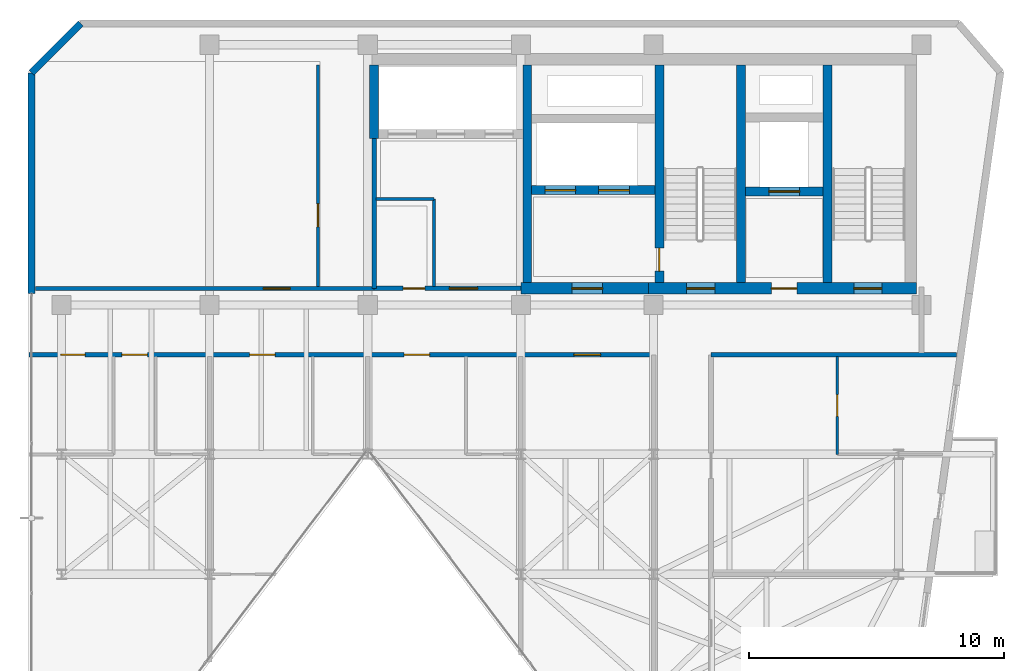
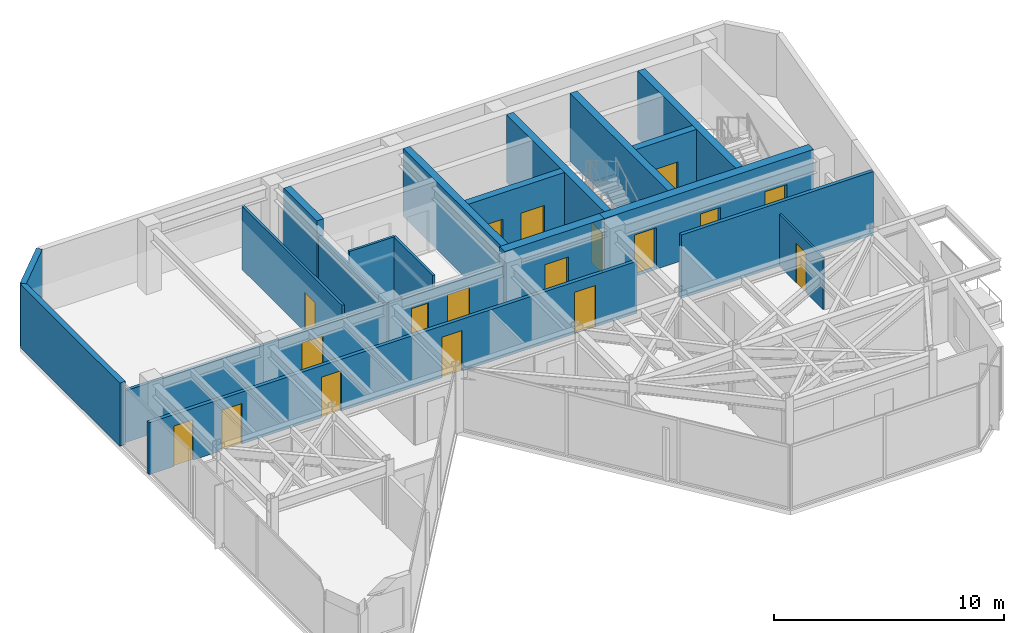
# One storey, part 14 of 17: 20 walls, 18 doors, 18 openings.
"""IFC4 building model written with IfcOpenShell, lengths in metres."""

from ifc_helpers import new_model, si_unit, direction, frame, frame_2d, origin, place, context, subcontext, project, spatial, rectangle, extrude, material, layer, layer_set, type_object, element, fill, save


model = new_model("IFC4")

# Units and contexts
model_context = context("Model", 3, precision=1e-05, world=origin(), true_north=direction((0.0, 1.0)))
body_context = subcontext(model_context, "Body", "Model", "MODEL_VIEW")
ifc_project = project(units=[si_unit("LENGTHUNIT", "METRE"), si_unit("AREAUNIT", "SQUARE_METRE"), si_unit("VOLUMEUNIT", "CUBIC_METRE"), si_unit("PLANEANGLEUNIT", "RADIAN"), si_unit("MASSUNIT", "GRAM", prefix="KILO")], contexts=[model_context])

# Site, building, storey
site_placement = place(None, origin())
site = spatial("IfcSite", under=ifc_project, at=site_placement, CompositionType="ELEMENT")
building_placement = place(site_placement, origin())
building = spatial("IfcBuilding", under=site, at=building_placement, Name="Kravanh Interchange Tower", CompositionType="ELEMENT")
storey_placement = place(building_placement, frame((0.0, 0.0, 282.300048828125)))
storey = spatial("IfcBuildingStorey", under=building, at=storey_placement, Name="L69", CompositionType="ELEMENT", Elevation=282.300048828125)

# Walls
ifc_material_1 = material(Name="Double Acoustic Gypsum Board and Mineral Wool")
ifc_layer_1 = layer(ifc_material_1, 0.1201171875)
ifc_layer_set_1 = layer_set([ifc_layer_1], Name="Acoustic Office Drywall Partition 120mm")
wall_type_1 = type_object("IfcWallType", Name="Acoustic Office Drywall Partition 120mm", PredefinedType="PARTITIONING", material=ifc_layer_set_1)
wall_1_placement = place(storey_placement, frame((47.39990234375, 38.068115234375, 0.0), z_axis=(0.0, 0.0, 1.0), x_axis=(0.0, 1.0, 0.0)))
element("IfcWall", 1, at=wall_1_placement, inside=storey, type_object=wall_type_1, Name="L69 Interior Partition 2", PredefinedType="PARTITIONING", context=body_context, shape_type="SweptSolid", body=[
    extrude(rectangle(XDim=3.431884765625, YDim=0.1201171875, at=frame_2d((1.7158203125, 0.0))), origin(), (0.0, 0.0, 1.0), 3.364990234375),
])
wall_2_placement = place(storey_placement, frame((45.117919921875, 41.5, 0.0), z_axis=(0.0, 0.0, 1.0), x_axis=(1.0, 0.0, 0.0)))
element("IfcWall", 2, at=wall_2_placement, inside=storey, type_object=wall_type_1, Name="L69 Interior Partition 3", PredefinedType="PARTITIONING", context=body_context, shape_type="SweptSolid", body=[
    extrude(rectangle(XDim=2.281982421875, YDim=0.1201171875, at=frame_2d((1.14111328125, 0.0))), origin(), (0.0, 0.0, 1.0), 3.364990234375),
])

# Wall, opening, door
wall_3_placement = place(storey_placement, frame((42.85009765625, 38.068115234375, 0.0), z_axis=(0.0, 0.0, 1.0), x_axis=(0.0, 1.0, 0.0)))
wall_3 = element("IfcWall", 3, at=wall_3_placement, inside=storey, type_object=wall_type_1, Name="L69 Interior Partition 7", PredefinedType="PARTITIONING", context=body_context, shape_type="SweptSolid", body=[
    extrude(rectangle(XDim=8.681884765625, YDim=0.1201171875, at=frame_2d((4.3408203125, 0.0))), origin(), (0.0, 0.0, 1.0), 3.364990234375),
])
opening_1_placement = place(wall_3_placement, frame((2.341796875, 0.0, 0.0)))
opening_1 = element("IfcOpeningElement", 4, at=opening_1_placement, cuts=wall_3, Name="Opening D-90", PredefinedType="OPENING", context=body_context, shape_type="SweptSolid", body=[
    extrude(rectangle(XDim=0.89990234375, YDim=2.10009765625, at=frame_2d((0.449951171875, 1.050048828125))), frame((0.0, 0.070068359375, 0.0), z_axis=(0.0, -1.0, 0.0), x_axis=(1.0, 0.0, 0.0)), (0.0, 0.0, 1.0), 0.14013671875),
])
ifc_material_2 = material(Name="Painted Solid-Core Timber", Category="wood")
door_type_1 = type_object("IfcDoorType", Name="Service Room Door 900x2100", OperationType="NOTDEFINED", PredefinedType="DOOR", material=ifc_material_2)
door_1_placement = place(opening_1_placement, origin())
door_1 = element("IfcDoor", 5, at=door_1_placement, inside=storey, type_object=door_type_1, Name="L69 Housekeeping Inner Door", OperationType="SINGLE_SWING_RIGHT", OverallHeight=2.10009765625, OverallWidth=0.89990234375, PredefinedType="DOOR", context=body_context, shape_type="SweptSolid", body=[
    extrude(rectangle(XDim=0.89990234375, YDim=2.10009765625, at=frame_2d((0.449951171875, 1.050048828125))), frame((0.0, 0.02490234375, 0.0), z_axis=(0.0, -1.0, 0.0), x_axis=(1.0, 0.0, 0.0)), (0.0, 0.0, 1.0), 0.050048828125),
])
fill(opening_1, door_1)

# Walls
ifc_material_3 = material(Name="Concrete C60/75", Category="concrete")
ifc_layer_2 = layer(ifc_material_3, 0.35009765625)
ifc_layer_set_2 = layer_set([ifc_layer_2], Name="Core Shear Wall Concrete C60/75 350mm")
wall_type_2 = type_object("IfcWallType", Name="Core Shear Wall Concrete C60/75 350mm", PredefinedType="SHEAR", material=ifc_layer_set_2)
for number, where, z_axis, x_axis, name in (
    (6, (62.824951171875, 38.22509765625, 0.0), (0.0, 0.0, 1.0), (0.0, 1.0, 0.0), "L69 Stair ST1 West Shear Wall"),
    (7, (59.425048828125, 38.22509765625, 0.0), (0.0, 0.0, 1.0), (0.0, 1.0, 0.0), "L69 Stair ST2 East Shear Wall"),
):
    element("IfcWall", number, at=place(storey_placement, frame(where, z_axis=z_axis, x_axis=x_axis)), inside=storey, type_object=wall_type_2, Name=name, PredefinedType="SHEAR", context=body_context, shape_type="SweptSolid", body=[
        extrude(rectangle(XDim=8.52490234375, YDim=0.35009765625, at=frame_2d((4.262451171875, 0.0))), origin(), (0.0, 0.0, 1.0), 3.599853515625),
    ])

# Wall, opening, door
wall_4_placement = place(storey_placement, frame((56.22509765625, 38.22509765625, 0.0), z_axis=(0.0, 0.0, 1.0), x_axis=(0.0, 1.0, 0.0)))
wall_4 = element("IfcWall", 8, at=wall_4_placement, inside=storey, type_object=wall_type_2, Name="L69 Stair ST2 West Shear Wall", PredefinedType="SHEAR", context=body_context, shape_type="SweptSolid", body=[
    extrude(rectangle(XDim=8.52490234375, YDim=0.35009765625, at=frame_2d((4.262451171875, 0.0))), origin(), (0.0, 0.0, 1.0), 3.599853515625),
])
opening_2_placement = place(wall_4_placement, frame((0.455078125, 0.0, 0.0)))
opening_2 = element("IfcOpeningElement", 9, at=opening_2_placement, cuts=wall_4, Name="Opening D-STAIR-90", PredefinedType="OPENING", context=body_context, shape_type="SweptSolid", body=[
    extrude(rectangle(XDim=0.89990234375, YDim=2.14990234375, at=frame_2d((0.449951171875, 1.074951171875))), frame((0.0, 0.18505859375, 0.0), z_axis=(0.0, -1.0, 0.0), x_axis=(1.0, 0.0, 0.0)), (0.0, 0.0, 1.0), 0.3701171875),
])
ifc_material_4 = material(Name="Structural Steel S355", Category="steel")
door_type_2 = type_object("IfcDoorType", Name="Fire-Rated Stair Lobby Door 900x2150", OperationType="NOTDEFINED", PredefinedType="DOOR", material=ifc_material_4)
door_2_placement = place(opening_2_placement, origin())
door_2 = element("IfcDoor", 10, at=door_2_placement, inside=storey, type_object=door_type_2, Name="L69 Firefighting Lobby to Stair ST2 Door", OperationType="SINGLE_SWING_LEFT", OverallHeight=2.14990234375, OverallWidth=0.89990234375, PredefinedType="DOOR", context=body_context, shape_type="SweptSolid", body=[
    extrude(rectangle(XDim=0.89990234375, YDim=2.14990234375, at=frame_2d((0.449951171875, 1.074951171875))), frame((0.0, 0.02490234375, 0.0), z_axis=(0.0, -1.0, 0.0), x_axis=(1.0, 0.0, 0.0)), (0.0, 0.0, 1.0), 0.050048828125),
])
fill(opening_2, door_2)

wall_5_placement = place(storey_placement, frame((59.60009765625, 41.800048828125, 0.0), z_axis=(0.0, 0.0, 1.0), x_axis=(1.0, 0.0, 0.0)))
wall_5 = element("IfcWall", 11, at=wall_5_placement, inside=storey, type_object=wall_type_2, Name="L69 Service Lift Shaft South Wall", PredefinedType="SHEAR", context=body_context, shape_type="SweptSolid", body=[
    extrude(rectangle(XDim=3.0498046875, YDim=0.35009765625, at=frame_2d((1.52490234375, 0.0))), origin(), (0.0, 0.0, 1.0), 3.599853515625),
])
opening_3_placement = place(wall_5_placement, frame((0.919921875, 0.0, 0.0)))
opening_3 = element("IfcOpeningElement", 12, at=opening_3_placement, cuts=wall_5, Name="Opening LD02", PredefinedType="OPENING", context=body_context, shape_type="SweptSolid", body=[
    extrude(rectangle(XDim=1.199951171875, YDim=2.199951171875, at=frame_2d((0.60009765625, 1.10009765625))), frame((0.0, 0.18505859375, 0.0), z_axis=(0.0, -1.0, 0.0), x_axis=(1.0, 0.0, 0.0)), (0.0, 0.0, 1.0), 0.3701171875),
])
ifc_material_5 = material(Name="Stainless Steel 316", Category="steel")
door_type_3 = type_object("IfcDoorType", Name="Fire and Service Lift Sliding Landing Door 1200x2200", OperationType="DOUBLE_DOOR_SLIDING", PredefinedType="DOOR", material=ifc_material_5)
door_3_placement = place(opening_3_placement, origin())
door_3 = element("IfcDoor", 13, at=door_3_placement, inside=storey, type_object=door_type_3, Name="L69 Lift LS-01 Landing Door", OperationType="DOUBLE_DOOR_SLIDING", OverallHeight=2.199951171875, OverallWidth=1.199951171875, PredefinedType="DOOR", context=body_context, shape_type="SweptSolid", body=[
    extrude(rectangle(XDim=1.199951171875, YDim=2.199951171875, at=frame_2d((0.60009765625, 1.10009765625))), frame((0.0, 0.02490234375, 0.0), z_axis=(0.0, -1.0, 0.0), x_axis=(1.0, 0.0, 0.0)), (0.0, 0.0, 1.0), 0.050048828125),
])
fill(opening_3, door_3)

# Wall, openings, doors
wall_6_placement = place(storey_placement, frame((51.22509765625, 41.85009765625, 0.0), z_axis=(0.0, 0.0, 1.0), x_axis=(1.0, 0.0, 0.0)))
wall_6 = element("IfcWall", 14, at=wall_6_placement, inside=storey, type_object=wall_type_2, Name="L69 Fire Lift Shaft South Wall", PredefinedType="SHEAR", context=body_context, shape_type="SweptSolid", body=[
    extrude(rectangle(XDim=4.824951171875, YDim=0.35009765625, at=frame_2d((2.41259765625, 0.0))), origin(), (0.0, 0.0, 1.0), 3.599853515625),
])
opening_4_placement = place(wall_6_placement, frame((0.52490234375, 0.0, 0.0)))
opening_4 = element("IfcOpeningElement", 15, at=opening_4_placement, cuts=wall_6, Name="Opening LD02", PredefinedType="OPENING", context=body_context, shape_type="SweptSolid", body=[
    extrude(rectangle(XDim=1.199951171875, YDim=2.199951171875, at=frame_2d((0.60009765625, 1.10009765625))), frame((0.0, 0.18505859375, 0.0), z_axis=(0.0, -1.0, 0.0), x_axis=(1.0, 0.0, 0.0)), (0.0, 0.0, 1.0), 0.3701171875),
])
opening_5_placement = place(wall_6_placement, frame((2.625, 0.0, 0.0)))
opening_5 = element("IfcOpeningElement", 16, at=opening_5_placement, cuts=wall_6, Name="Opening LD02", PredefinedType="OPENING", context=body_context, shape_type="SweptSolid", body=[
    extrude(rectangle(XDim=1.199951171875, YDim=2.199951171875, at=frame_2d((0.60009765625, 1.10009765625))), frame((0.0, 0.18505859375, 0.0), z_axis=(0.0, -1.0, 0.0), x_axis=(1.0, 0.0, 0.0)), (0.0, 0.0, 1.0), 0.3701171875),
])
door_4_placement = place(opening_4_placement, origin())
door_4 = element("IfcDoor", 17, at=door_4_placement, inside=storey, type_object=door_type_3, Name="L69 Lift FSAE-01 Landing Door", OperationType="DOUBLE_DOOR_SLIDING", OverallHeight=2.199951171875, OverallWidth=1.199951171875, PredefinedType="DOOR", context=body_context, shape_type="SweptSolid", body=[
    extrude(rectangle(XDim=1.199951171875, YDim=2.199951171875, at=frame_2d((0.60009765625, 1.10009765625))), frame((0.0, 0.02490234375, 0.0), z_axis=(0.0, -1.0, 0.0), x_axis=(1.0, 0.0, 0.0)), (0.0, 0.0, 1.0), 0.050048828125),
])
fill(opening_4, door_4)
door_5_placement = place(opening_5_placement, origin())
door_5 = element("IfcDoor", 18, at=door_5_placement, inside=storey, type_object=door_type_3, Name="L69 Lift FSAE-02 Landing Door", OperationType="DOUBLE_DOOR_SLIDING", OverallHeight=2.199951171875, OverallWidth=1.199951171875, PredefinedType="DOOR", context=body_context, shape_type="SweptSolid", body=[
    extrude(rectangle(XDim=1.199951171875, YDim=2.199951171875, at=frame_2d((0.60009765625, 1.10009765625))), frame((0.0, 0.02490234375, 0.0), z_axis=(0.0, -1.0, 0.0), x_axis=(1.0, 0.0, 0.0)), (0.0, 0.0, 1.0), 0.050048828125),
])
fill(opening_5, door_5)

# Walls
wall_7_placement = place(storey_placement, frame((51.050048828125, 38.22509765625, 0.0), z_axis=(0.0, 0.0, 1.0), x_axis=(0.0, 1.0, 0.0)))
element("IfcWall", 19, at=wall_7_placement, inside=storey, type_object=wall_type_2, Name="L69 Firefighting Lobby West Wall", PredefinedType="SHEAR", context=body_context, shape_type="SweptSolid", body=[
    extrude(rectangle(XDim=8.52490234375, YDim=0.35009765625, at=frame_2d((4.262451171875, 0.0))), origin(), (0.0, 0.0, 1.0), 3.599853515625),
])
wall_8_placement = place(storey_placement, frame((45.050048828125, 43.875, 0.0), z_axis=(0.0, 0.0, 1.0), x_axis=(0.0, 1.0, 0.0)))
element("IfcWall", 20, at=wall_8_placement, inside=storey, type_object=wall_type_2, Name="L69 High-Rise Lift Shaft West Wall", PredefinedType="SHEAR", context=body_context, shape_type="SweptSolid", body=[
    extrude(rectangle(XDim=2.875, YDim=0.35009765625, at=frame_2d((1.4375, 0.0))), origin(), (0.0, 0.0, 1.0), 3.599853515625),
])

# Wall, openings, doors
ifc_material_6 = material(Name="Concrete C60/75", Category="concrete")
ifc_layer_3 = layer(ifc_material_6, 0.449951171875)
ifc_layer_set_3 = layer_set([ifc_layer_3], Name="Core Shear Wall Concrete C60/75 450mm")
wall_type_3 = type_object("IfcWallType", Name="Core Shear Wall Concrete C60/75 450mm", PredefinedType="SHEAR", material=ifc_layer_set_3)
wall_9_placement = place(storey_placement, frame((55.800048828125, 38.0, 0.0), z_axis=(0.0, 0.0, 1.0), x_axis=(1.0, 0.0, 0.0)))
wall_9 = element("IfcWall", 21, at=wall_9_placement, inside=storey, type_object=wall_type_3, Name="L69 East Core South Shear Wall", PredefinedType="SHEAR", context=body_context, shape_type="SweptSolid", body=[
    extrude(rectangle(XDim=10.5, YDim=0.449951171875, at=frame_2d((5.25, 0.0))), origin(), (0.0, 0.0, 1.0), 3.599853515625),
])
opening_6_placement = place(wall_9_placement, frame((1.5, 0.0, 0.0)))
opening_6 = element("IfcOpeningElement", 22, at=opening_6_placement, cuts=wall_9, Name="Opening D-STAIR-110", PredefinedType="OPENING", context=body_context, shape_type="SweptSolid", body=[
    extrude(rectangle(XDim=1.10009765625, YDim=2.199951171875, at=frame_2d((0.550048828125, 1.10009765625))), frame((0.0, 0.23486328125, 0.0), z_axis=(0.0, -1.0, 0.0), x_axis=(1.0, 0.0, 0.0)), (0.0, 0.0, 1.0), 0.469970703125),
])
opening_7_placement = place(wall_9_placement, frame((4.820068359375, 0.0, 0.0)))
opening_7 = element("IfcOpeningElement", 23, at=opening_7_placement, cuts=wall_9, Name="Opening D-HOTEL-100", PredefinedType="OPENING", context=body_context, shape_type="SweptSolid", body=[
    extrude(rectangle(XDim=1.0, YDim=2.14990234375, at=frame_2d((0.5, 1.074951171875))), frame((0.0, 0.23486328125, 0.0), z_axis=(0.0, -1.0, 0.0), x_axis=(1.0, 0.0, 0.0)), (0.0, 0.0, 1.0), 0.469970703125),
])
opening_8_placement = place(wall_9_placement, frame((8.050048828125, 0.0, 0.0)))
opening_8 = element("IfcOpeningElement", 24, at=opening_8_placement, cuts=wall_9, Name="Opening D-STAIR-110", PredefinedType="OPENING", context=body_context, shape_type="SweptSolid", body=[
    extrude(rectangle(XDim=1.10009765625, YDim=2.199951171875, at=frame_2d((0.550048828125, 1.10009765625))), frame((0.0, 0.23486328125, 0.0), z_axis=(0.0, -1.0, 0.0), x_axis=(1.0, 0.0, 0.0)), (0.0, 0.0, 1.0), 0.469970703125),
])
ifc_material_7 = material(Name="Structural Steel S355", Category="steel")
door_type_4 = type_object("IfcDoorType", Name="Fire-Rated Exit Stair Door 1100x2200", OperationType="NOTDEFINED", PredefinedType="DOOR", material=ifc_material_7)
door_6_placement = place(opening_6_placement, origin())
door_6 = element("IfcDoor", 25, at=door_6_placement, inside=storey, type_object=door_type_4, Name="L69 Exit Stair ST2 Door", OperationType="SINGLE_SWING_RIGHT", OverallHeight=2.199951171875, OverallWidth=1.10009765625, PredefinedType="DOOR", context=body_context, shape_type="SweptSolid", body=[
    extrude(rectangle(XDim=1.10009765625, YDim=2.199951171875, at=frame_2d((0.550048828125, 1.10009765625))), frame((0.0, 0.02490234375, 0.0), z_axis=(0.0, -1.0, 0.0), x_axis=(1.0, 0.0, 0.0)), (0.0, 0.0, 1.0), 0.050048828125),
])
fill(opening_6, door_6)
door_7_placement = place(opening_8_placement, origin())
door_7 = element("IfcDoor", 26, at=door_7_placement, inside=storey, type_object=door_type_4, Name="L69 Exit Stair ST1 Door", OperationType="SINGLE_SWING_RIGHT", OverallHeight=2.199951171875, OverallWidth=1.10009765625, PredefinedType="DOOR", context=body_context, shape_type="SweptSolid", body=[
    extrude(rectangle(XDim=1.10009765625, YDim=2.199951171875, at=frame_2d((0.550048828125, 1.10009765625))), frame((0.0, 0.02490234375, 0.0), z_axis=(0.0, -1.0, 0.0), x_axis=(1.0, 0.0, 0.0)), (0.0, 0.0, 1.0), 0.050048828125),
])
fill(opening_8, door_7)
ifc_material_8 = material(Name="Fire-Rated Solid Timber Leaf", Category="wood")
door_type_5 = type_object("IfcDoorType", Name="Fire-Rated Suite Entrance Door 1000x2150", OperationType="NOTDEFINED", PredefinedType="DOOR", material=ifc_material_8)
door_8_placement = place(opening_7_placement, origin())
door_8 = element("IfcDoor", 27, at=door_8_placement, inside=storey, type_object=door_type_5, Name="L69 Service Lift Lobby Door", OperationType="SINGLE_SWING_RIGHT", OverallHeight=2.14990234375, OverallWidth=1.0, PredefinedType="DOOR", context=body_context, shape_type="SweptSolid", body=[
    extrude(rectangle(XDim=1.0, YDim=2.14990234375, at=frame_2d((0.5, 1.074951171875))), frame((0.0, 0.02490234375, 0.0), z_axis=(0.0, -1.0, 0.0), x_axis=(1.0, 0.0, 0.0)), (0.0, 0.0, 1.0), 0.050048828125),
])
fill(opening_7, door_8)

# Wall, opening, door
wall_10_placement = place(storey_placement, frame((50.800048828125, 38.0, 0.0), z_axis=(0.0, 0.0, 1.0), x_axis=(1.0, 0.0, 0.0)))
wall_10 = element("IfcWall", 28, at=wall_10_placement, inside=storey, type_object=wall_type_3, Name="L69 Firefighting Lobby South Shear Wall", PredefinedType="SHEAR", context=body_context, shape_type="SweptSolid", body=[
    extrude(rectangle(XDim=5.0, YDim=0.449951171875, at=frame_2d((2.5, 0.0))), origin(), (0.0, 0.0, 1.0), 3.599853515625),
])
opening_9_placement = place(wall_10_placement, frame((2.0, 0.0, 0.0)))
opening_9 = element("IfcOpeningElement", 29, at=opening_9_placement, cuts=wall_10, Name="Opening D-FSAE-120", PredefinedType="OPENING", context=body_context, shape_type="SweptSolid", body=[
    extrude(rectangle(XDim=1.199951171875, YDim=2.199951171875, at=frame_2d((0.60009765625, 1.10009765625))), frame((0.0, 0.23486328125, 0.0), z_axis=(0.0, -1.0, 0.0), x_axis=(1.0, 0.0, 0.0)), (0.0, 0.0, 1.0), 0.469970703125),
])
ifc_material_9 = material(Name="Structural Steel S355", Category="steel")
door_type_6 = type_object("IfcDoorType", Name="Fire-Rated Refuge and FSAE Door 1200x2200", OperationType="NOTDEFINED", PredefinedType="DOOR", material=ifc_material_9)
door_9_placement = place(opening_9_placement, origin())
door_9 = element("IfcDoor", 30, at=door_9_placement, inside=storey, type_object=door_type_6, Name="L69 Firefighting Lobby Corridor Door", OperationType="SINGLE_SWING_RIGHT", OverallHeight=2.199951171875, OverallWidth=1.199951171875, PredefinedType="DOOR", context=body_context, shape_type="SweptSolid", body=[
    extrude(rectangle(XDim=1.199951171875, YDim=2.199951171875, at=frame_2d((0.60009765625, 1.10009765625))), frame((0.0, 0.02490234375, 0.0), z_axis=(0.0, -1.0, 0.0), x_axis=(1.0, 0.0, 0.0)), (0.0, 0.0, 1.0), 0.050048828125),
])
fill(opening_9, door_9)

ifc_material_10 = material(Name="Moisture-Resistant Gypsum Board and Mineral Wool")
ifc_layer_4 = layer(ifc_material_10, 0.10009765625)
ifc_layer_set_4 = layer_set([ifc_layer_4], Name="En-Suite Moisture-Resistant Partition 100mm")
wall_type_4 = type_object("IfcWallType", Name="En-Suite Moisture-Resistant Partition 100mm", PredefinedType="PARTITIONING", material=ifc_layer_set_4)
wall_11_placement = place(storey_placement, frame((63.199951171875, 31.5, 0.0), z_axis=(0.0, 0.0, 1.0), x_axis=(0.0, 1.0, 0.0)))
wall_11 = element("IfcWall", 31, at=wall_11_placement, inside=storey, type_object=wall_type_4, Name="L69 Interior Partition 19", PredefinedType="PARTITIONING", context=body_context, shape_type="SweptSolid", body=[
    extrude(rectangle(XDim=3.83203125, YDim=0.10009765625, at=frame_2d((1.916015625, 0.0))), origin(), (0.0, 0.0, 1.0), 2.75390625),
])
opening_10_placement = place(wall_11_placement, frame((1.48486328125, 0.0, 0.0)))
opening_10 = element("IfcOpeningElement", 32, at=opening_10_placement, cuts=wall_11, Name="Opening D-85", PredefinedType="OPENING", context=body_context, shape_type="SweptSolid", body=[
    extrude(rectangle(XDim=0.85009765625, YDim=2.10009765625, at=frame_2d((0.425048828125, 1.050048828125))), frame((0.0, 0.06005859375, 0.0), z_axis=(0.0, -1.0, 0.0), x_axis=(1.0, 0.0, 0.0)), (0.0, 0.0, 1.0), 0.1201171875),
])
ifc_material_11 = material(Name="Engineered Teak Veneer Timber", Category="wood")
door_type_7 = type_object("IfcDoorType", Name="En-Suite Timber Door 850x2100", OperationType="NOTDEFINED", PredefinedType="DOOR", material=ifc_material_11)
door_10_placement = place(opening_10_placement, origin())
door_10 = element("IfcDoor", 33, at=door_10_placement, inside=storey, type_object=door_type_7, Name="L69 En-suite Bathroom Door", OperationType="SINGLE_SWING_LEFT", OverallHeight=2.10009765625, OverallWidth=0.85009765625, PredefinedType="DOOR", context=body_context, shape_type="SweptSolid", body=[
    extrude(rectangle(XDim=0.85009765625, YDim=2.10009765625, at=frame_2d((0.425048828125, 1.050048828125))), frame((0.0, 0.02490234375, 0.0), z_axis=(0.0, -1.0, 0.0), x_axis=(1.0, 0.0, 0.0)), (0.0, 0.0, 1.0), 0.050048828125),
])
fill(opening_10, door_10)

# Walls
ifc_material_12 = material(Name="Insulated Precast Concrete C40/50 with Bronze Cladding", Category="concrete")
ifc_layer_5 = layer(ifc_material_12, 0.280029296875)
ifc_layer_set_5 = layer_set([ifc_layer_5], Name="Exterior Insulated Concrete C40/50 Bronze Spandrel Wall 280mm")
wall_type_5 = type_object("IfcWallType", Name="Exterior Insulated Concrete C40/50 Bronze Spandrel Wall 280mm", PredefinedType="STANDARD", material=ifc_layer_set_5)
wall_12_placement = place(storey_placement, frame((31.6201171875, 37.800048828125, 0.0), z_axis=(0.0, 0.0, 1.0), x_axis=(0.0, 1.0, 0.0)))
element("IfcWall", 34, at=wall_12_placement, inside=storey, type_object=wall_type_5, Name="L69 Exterior Wall 1", PredefinedType="STANDARD", context=body_context, shape_type="SweptSolid", body=[
    extrude(rectangle(XDim=8.650146484375, YDim=0.280029296875, at=frame_2d((4.3251953125, 0.0))), origin(), (0.0, 0.0, 1.0), 3.364990234375),
])
wall_13_placement = place(storey_placement, frame((31.6201171875, 46.4501953125, 0.0), z_axis=(0.0, 0.0, 1.0), x_axis=(0.707106781187, 0.707106781187, 0.0)))
element("IfcWall", 35, at=wall_13_placement, inside=storey, type_object=wall_type_5, Name="L69 Exterior Wall 2", PredefinedType="STANDARD", context=body_context, shape_type="SweptSolid", body=[
    extrude(rectangle(XDim=2.72900390625, YDim=0.280029296875, at=frame_2d((1.364501953125, 0.0))), origin(), (0.0, 0.0, 1.0), 3.364990234375),
])

# Wall, openings, doors
ifc_material_13 = material(Name="Autoclaved Aerated Concrete C30/37 Blockwork", Category="masonry")
ifc_layer_6 = layer(ifc_material_13, 0.179931640625)
ifc_layer_set_6 = layer_set([ifc_layer_6], Name="Fire-Rated Lobby and Corridor Wall Concrete C30/37 180mm")
wall_type_6 = type_object("IfcWallType", Name="Fire-Rated Lobby and Corridor Wall Concrete C30/37 180mm", PredefinedType="STANDARD", material=ifc_layer_set_6)
wall_14_placement = place(storey_placement, frame((45.050048828125, 38.0, 0.0), z_axis=(0.0, 0.0, 1.0), x_axis=(1.0, 0.0, 0.0)))
wall_14 = element("IfcWall", 36, at=wall_14_placement, inside=storey, type_object=wall_type_6, Name="L69 High-Rise Lift Lobby Wall 1", PredefinedType="STANDARD", context=body_context, shape_type="SweptSolid", body=[
    extrude(rectangle(XDim=5.75, YDim=0.179931640625, at=frame_2d((2.875, 0.0))), origin(), (0.0, 0.0, 1.0), 2.75390625),
])
opening_11_placement = place(wall_14_placement, frame((1.135009765625, 0.0, 0.0)))
opening_11 = element("IfcOpeningElement", 37, at=opening_11_placement, cuts=wall_14, Name="Opening D-85", PredefinedType="OPENING", context=body_context, shape_type="SweptSolid", body=[
    extrude(rectangle(XDim=0.85009765625, YDim=2.10009765625, at=frame_2d((0.425048828125, 1.050048828125))), frame((0.0, 0.10009765625, 0.0), z_axis=(0.0, -1.0, 0.0), x_axis=(1.0, 0.0, 0.0)), (0.0, 0.0, 1.0), 0.199951171875),
])
opening_12_placement = place(wall_14_placement, frame((2.949951171875, 0.0, 0.0)))
opening_12 = element("IfcOpeningElement", 38, at=opening_12_placement, cuts=wall_14, Name="Opening D-SHAFT-110", PredefinedType="OPENING", context=body_context, shape_type="SweptSolid", body=[
    extrude(rectangle(XDim=1.10009765625, YDim=2.199951171875, at=frame_2d((0.550048828125, 1.10009765625))), frame((0.0, 0.10009765625, 0.0), z_axis=(0.0, -1.0, 0.0), x_axis=(1.0, 0.0, 0.0)), (0.0, 0.0, 1.0), 0.199951171875),
])
door_11_placement = place(opening_11_placement, origin())
door_11 = element("IfcDoor", 39, at=door_11_placement, inside=storey, type_object=door_type_7, Name="L69 Core Linen Closet Door", OperationType="SINGLE_SWING_LEFT", OverallHeight=2.10009765625, OverallWidth=0.85009765625, PredefinedType="DOOR", context=body_context, shape_type="SweptSolid", body=[
    extrude(rectangle(XDim=0.85009765625, YDim=2.10009765625, at=frame_2d((0.425048828125, 1.050048828125))), frame((0.0, 0.02490234375, 0.0), z_axis=(0.0, -1.0, 0.0), x_axis=(1.0, 0.0, 0.0)), (0.0, 0.0, 1.0), 0.050048828125),
])
fill(opening_11, door_11)
ifc_material_14 = material(Name="Fire-Rated Composite Timber Leaf", Category="wood")
door_type_8 = type_object("IfcDoorType", Name="Fire-Rated Core Support Door 1100x2200", OperationType="NOTDEFINED", PredefinedType="DOOR", material=ifc_material_14)
door_12_placement = place(opening_12_placement, origin())
door_12 = element("IfcDoor", 40, at=door_12_placement, inside=storey, type_object=door_type_8, Name="L69 High-Rise Lift Lobby Door", OperationType="SINGLE_SWING_RIGHT", OverallHeight=2.199951171875, OverallWidth=1.10009765625, PredefinedType="DOOR", context=body_context, shape_type="SweptSolid", body=[
    extrude(rectangle(XDim=1.10009765625, YDim=2.199951171875, at=frame_2d((0.550048828125, 1.10009765625))), frame((0.0, 0.02490234375, 0.0), z_axis=(0.0, -1.0, 0.0), x_axis=(1.0, 0.0, 0.0)), (0.0, 0.0, 1.0), 0.050048828125),
])
fill(opening_12, door_12)

# Wall
wall_15_placement = place(storey_placement, frame((45.050048828125, 38.0, 0.0), z_axis=(0.0, 0.0, 1.0), x_axis=(0.0, 1.0, 0.0)))
element("IfcWall", 41, at=wall_15_placement, inside=storey, type_object=wall_type_6, Name="L69 Interior Partition 4", PredefinedType="STANDARD", context=body_context, shape_type="SweptSolid", body=[
    extrude(rectangle(XDim=5.875, YDim=0.179931640625, at=frame_2d((2.9375, 0.0))), origin(), (0.0, 0.0, 1.0), 2.75390625),
])

# Wall, openings, doors
wall_16_placement = place(storey_placement, frame((31.514892578125, 35.39990234375, 0.0), z_axis=(0.0, 0.0, 1.0), x_axis=(1.0, 0.0, 0.0)))
wall_16 = element("IfcWall", 42, at=wall_16_placement, inside=storey, type_object=wall_type_6, Name="L69 Interior Partition 8", PredefinedType="STANDARD", context=body_context, shape_type="SweptSolid", body=[
    extrude(rectangle(XDim=24.485107421875, YDim=0.179931640625, at=frame_2d((12.24267578125, 0.0))), origin(), (0.0, 0.0, 1.0), 2.75390625),
])
opening_13_placement = place(wall_16_placement, frame((1.25927734375, 0.0, 0.0)))
opening_13 = element("IfcOpeningElement", 43, at=opening_13_placement, cuts=wall_16, Name="Opening D-95", PredefinedType="OPENING", context=body_context, shape_type="SweptSolid", body=[
    extrude(rectangle(XDim=0.949951171875, YDim=2.14990234375, at=frame_2d((0.47509765625, 1.074951171875))), frame((0.0, 0.10009765625, 0.0), z_axis=(0.0, -1.0, 0.0), x_axis=(1.0, 0.0, 0.0)), (0.0, 0.0, 1.0), 0.199951171875),
])
opening_14_placement = place(wall_16_placement, frame((3.64990234375, 0.0, 0.0)))
opening_14 = element("IfcOpeningElement", 44, at=opening_14_placement, cuts=wall_16, Name="Opening D-HOTEL-100", PredefinedType="OPENING", context=body_context, shape_type="SweptSolid", body=[
    extrude(rectangle(XDim=1.0, YDim=2.14990234375, at=frame_2d((0.5, 1.074951171875))), frame((0.0, 0.10009765625, 0.0), z_axis=(0.0, -1.0, 0.0), x_axis=(1.0, 0.0, 0.0)), (0.0, 0.0, 1.0), 0.199951171875),
])
opening_15_placement = place(wall_16_placement, frame((8.650146484375, 0.0, 0.0)))
opening_15 = element("IfcOpeningElement", 45, at=opening_15_placement, cuts=wall_16, Name="Opening D-HOTEL-100", PredefinedType="OPENING", context=body_context, shape_type="SweptSolid", body=[
    extrude(rectangle(XDim=1.0, YDim=2.14990234375, at=frame_2d((0.5, 1.074951171875))), frame((0.0, 0.10009765625, 0.0), z_axis=(0.0, -1.0, 0.0), x_axis=(1.0, 0.0, 0.0)), (0.0, 0.0, 1.0), 0.199951171875),
])
opening_16_placement = place(wall_16_placement, frame((14.7099609375, 0.0, 0.0)))
opening_16 = element("IfcOpeningElement", 46, at=opening_16_placement, cuts=wall_16, Name="Opening D-HOTEL-100", PredefinedType="OPENING", context=body_context, shape_type="SweptSolid", body=[
    extrude(rectangle(XDim=1.0, YDim=2.14990234375, at=frame_2d((0.5, 1.074951171875))), frame((0.0, 0.10009765625, 0.0), z_axis=(0.0, -1.0, 0.0), x_axis=(1.0, 0.0, 0.0)), (0.0, 0.0, 1.0), 0.199951171875),
])
opening_17_placement = place(wall_16_placement, frame((21.360107421875, 0.0, 0.0)))
opening_17 = element("IfcOpeningElement", 47, at=opening_17_placement, cuts=wall_16, Name="Opening D-105", PredefinedType="OPENING", context=body_context, shape_type="SweptSolid", body=[
    extrude(rectangle(XDim=1.050048828125, YDim=2.199951171875, at=frame_2d((0.52490234375, 1.10009765625))), frame((0.0, 0.10009765625, 0.0), z_axis=(0.0, -1.0, 0.0), x_axis=(1.0, 0.0, 0.0)), (0.0, 0.0, 1.0), 0.199951171875),
])
ifc_material_15 = material(Name="Laminate Solid-Core Timber", Category="wood")
door_type_9 = type_object("IfcDoorType", Name="Accessible Restroom Door 950x2150", OperationType="NOTDEFINED", PredefinedType="DOOR", material=ifc_material_15)
door_13_placement = place(opening_13_placement, origin())
door_13 = element("IfcDoor", 48, at=door_13_placement, inside=storey, type_object=door_type_9, Name="L69 Accessible WC Door", OperationType="SINGLE_SWING_LEFT", OverallHeight=2.14990234375, OverallWidth=0.949951171875, PredefinedType="DOOR", context=body_context, shape_type="SweptSolid", body=[
    extrude(rectangle(XDim=0.949951171875, YDim=2.14990234375, at=frame_2d((0.47509765625, 1.074951171875))), frame((0.0, 0.02490234375, 0.0), z_axis=(0.0, -1.0, 0.0), x_axis=(1.0, 0.0, 0.0)), (0.0, 0.0, 1.0), 0.050048828125),
])
fill(opening_13, door_13)
door_14_placement = place(opening_14_placement, origin())
door_14 = element("IfcDoor", 49, at=door_14_placement, inside=storey, type_object=door_type_5, Name="L69 Hotel Guest Room 5A Entrance Door", OperationType="SINGLE_SWING_RIGHT", OverallHeight=2.14990234375, OverallWidth=1.0, PredefinedType="DOOR", context=body_context, shape_type="SweptSolid", body=[
    extrude(rectangle(XDim=1.0, YDim=2.14990234375, at=frame_2d((0.5, 1.074951171875))), frame((0.0, 0.02490234375, 0.0), z_axis=(0.0, -1.0, 0.0), x_axis=(1.0, 0.0, 0.0)), (0.0, 0.0, 1.0), 0.050048828125),
])
fill(opening_14, door_14)
door_15_placement = place(opening_15_placement, origin())
door_15 = element("IfcDoor", 50, at=door_15_placement, inside=storey, type_object=door_type_5, Name="L69 Hotel Guest Room 5B Entrance Door", OperationType="SINGLE_SWING_LEFT", OverallHeight=2.14990234375, OverallWidth=1.0, PredefinedType="DOOR", context=body_context, shape_type="SweptSolid", body=[
    extrude(rectangle(XDim=1.0, YDim=2.14990234375, at=frame_2d((0.5, 1.074951171875))), frame((0.0, 0.02490234375, 0.0), z_axis=(0.0, -1.0, 0.0), x_axis=(1.0, 0.0, 0.0)), (0.0, 0.0, 1.0), 0.050048828125),
])
fill(opening_15, door_15)
door_16_placement = place(opening_16_placement, origin())
door_16 = element("IfcDoor", 51, at=door_16_placement, inside=storey, type_object=door_type_5, Name="L69 Junior Hotel Suite Entrance Door", OperationType="SINGLE_SWING_LEFT", OverallHeight=2.14990234375, OverallWidth=1.0, PredefinedType="DOOR", context=body_context, shape_type="SweptSolid", body=[
    extrude(rectangle(XDim=1.0, YDim=2.14990234375, at=frame_2d((0.5, 1.074951171875))), frame((0.0, 0.02490234375, 0.0), z_axis=(0.0, -1.0, 0.0), x_axis=(1.0, 0.0, 0.0)), (0.0, 0.0, 1.0), 0.050048828125),
])
fill(opening_16, door_16)
ifc_material_16 = material(Name="Acoustic Glazed Oak and Aluminium", Category="aluminium")
door_type_10 = type_object("IfcDoorType", Name="Office Workplace Door 1050x2200", OperationType="NOTDEFINED", PredefinedType="DOOR", material=ifc_material_16)
door_17_placement = place(opening_17_placement, origin())
door_17 = element("IfcDoor", 52, at=door_17_placement, inside=storey, type_object=door_type_10, Name="L69 Hospitality Lounge 5F Door", OperationType="SINGLE_SWING_LEFT", OverallHeight=2.199951171875, OverallWidth=1.050048828125, PredefinedType="DOOR", context=body_context, shape_type="SweptSolid", body=[
    extrude(rectangle(XDim=1.050048828125, YDim=2.199951171875, at=frame_2d((0.52490234375, 1.10009765625))), frame((0.0, 0.02490234375, 0.0), z_axis=(0.0, -1.0, 0.0), x_axis=(1.0, 0.0, 0.0)), (0.0, 0.0, 1.0), 0.050048828125),
])
fill(opening_17, door_17)

# Wall
wall_17_placement = place(storey_placement, frame((58.25, 35.39990234375, 0.0), z_axis=(0.0, 0.0, 1.0), x_axis=(1.0, 0.0, 0.0)))
element("IfcWall", 53, at=wall_17_placement, inside=storey, type_object=wall_type_6, Name="L69 Interior Partition 9", PredefinedType="STANDARD", context=body_context, shape_type="SweptSolid", body=[
    extrude(rectangle(XDim=9.62109375, YDim=0.179931640625, at=frame_2d((4.810546875, 0.0))), origin(), (0.0, 0.0, 1.0), 3.364990234375),
])

# Wall, opening, door
ifc_material_17 = material(Name="Twin Stud Acoustic Gypsum Board Wall")
ifc_layer_7 = layer(ifc_material_17, 0.14990234375)
ifc_layer_set_7 = layer_set([ifc_layer_7], Name="Medium-Duty Acoustic Partition 150mm")
wall_type_7 = type_object("IfcWallType", Name="Medium-Duty Acoustic Partition 150mm", PredefinedType="PARTITIONING", material=ifc_layer_set_7)
wall_18_placement = place(storey_placement, frame((31.784912109375, 38.0, 0.0), z_axis=(0.0, 0.0, 1.0), x_axis=(1.0, 0.0, 0.0)))
wall_18 = element("IfcWall", 54, at=wall_18_placement, inside=storey, type_object=wall_type_7, Name="L69 Interior Partition 5", PredefinedType="PARTITIONING", context=body_context, shape_type="SweptSolid", body=[
    extrude(rectangle(XDim=13.26513671875, YDim=0.14990234375, at=frame_2d((6.632568359375, 0.0))), origin(), (0.0, 0.0, 1.0), 2.75390625),
])
opening_18_placement = place(wall_18_placement, frame((8.9228515625, 0.0, 0.0)))
opening_18 = element("IfcOpeningElement", 55, at=opening_18_placement, cuts=wall_18, Name="Opening D-105", PredefinedType="OPENING", context=body_context, shape_type="SweptSolid", body=[
    extrude(rectangle(XDim=1.050048828125, YDim=2.199951171875, at=frame_2d((0.52490234375, 1.10009765625))), frame((0.0, 0.0849609375, 0.0), z_axis=(0.0, -1.0, 0.0), x_axis=(1.0, 0.0, 0.0)), (0.0, 0.0, 1.0), 0.169921875),
])
door_18_placement = place(opening_18_placement, origin())
door_18 = element("IfcDoor", 56, at=door_18_placement, inside=storey, type_object=door_type_10, Name="L69 North Wellness Lounge Door", OperationType="SINGLE_SWING_LEFT", OverallHeight=2.199951171875, OverallWidth=1.050048828125, PredefinedType="DOOR", context=body_context, shape_type="SweptSolid", body=[
    extrude(rectangle(XDim=1.050048828125, YDim=2.199951171875, at=frame_2d((0.52490234375, 1.10009765625))), frame((0.0, 0.02490234375, 0.0), z_axis=(0.0, -1.0, 0.0), x_axis=(1.0, 0.0, 0.0)), (0.0, 0.0, 1.0), 0.050048828125),
])
fill(opening_18, door_18)

save(model, "model.ifc")
